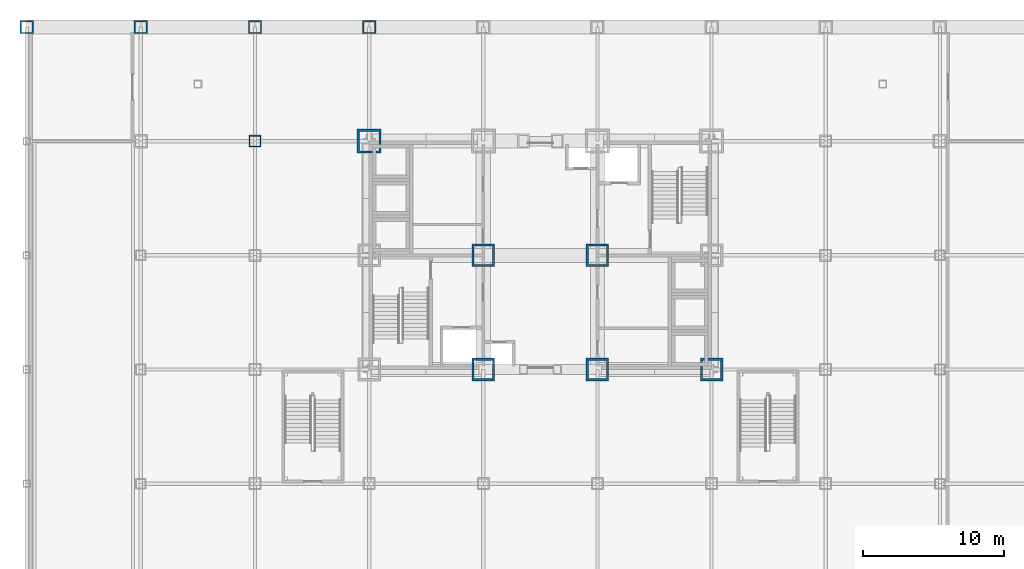
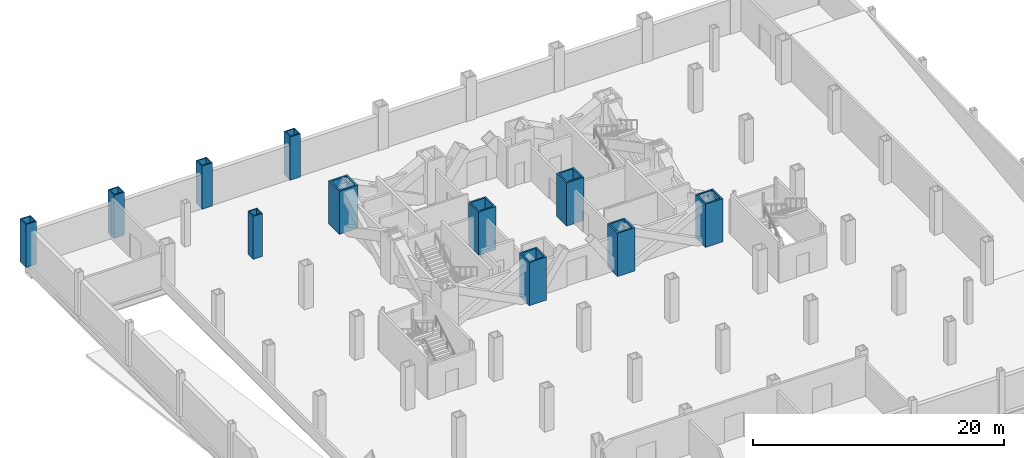
# One storey, part 6 of 14: 11 columns.
"""IFC4 building model written with IfcOpenShell, lengths in metres."""

from ifc_helpers import new_model, si_unit, direction, frame, origin, origin_2d, place, context, subcontext, project, spatial, hollow_rectangle, extrude, material, material_profile, profile_set, type_object, element, save


model = new_model("IFC4")

# Units and contexts
model_context = context("Model", 3, precision=1e-05, world=origin(), true_north=direction((0.0, 1.0)))
body_context = subcontext(model_context, "Body", "Model", "MODEL_VIEW")
ifc_project = project(units=[si_unit("LENGTHUNIT", "METRE"), si_unit("AREAUNIT", "SQUARE_METRE"), si_unit("VOLUMEUNIT", "CUBIC_METRE"), si_unit("PLANEANGLEUNIT", "RADIAN"), si_unit("MASSUNIT", "GRAM", prefix="KILO")], contexts=[model_context])

# Site, building, storey
site_placement = place(None, origin())
site = spatial("IfcSite", under=ifc_project, at=site_placement, CompositionType="ELEMENT")
building_placement = place(site_placement, origin())
building = spatial("IfcBuilding", under=site, at=building_placement, Name="Kopane Lantern Tower", CompositionType="ELEMENT")
storey_placement = place(building_placement, frame((0.0, 0.0, -4.199951171875)))
storey = spatial("IfcBuildingStorey", under=building, at=storey_placement, Name="L-01", CompositionType="ELEMENT", Elevation=-4.199951171875)

# Columns
ifc_material_1 = material(Name="Steel S355JR", Category="steel")
ifc_material_profile_1 = material_profile(ifc_material_1, hollow_rectangle(XDim=1.60009765625, YDim=1.60009765625, WallThickness=0.14990234375, at=origin_2d()), Name="BOX 1600x1600x150")
ifc_profile_set_1 = profile_set([ifc_material_profile_1], Name="Steel S355JR")
column_type_1 = type_object("IfcColumnType", Name="COLUMN BOX 1600x1600x150", PredefinedType="COLUMN", material=ifc_profile_set_1)
for number, where, z_axis, x_axis, name in (
    (1, (24.300048828125, 24.300048828125, 0.0), (0.0, 0.0, 1.0), (1.0, 0.0, 0.0), "Column 5/E L-01"),
    (2, (24.300048828125, 32.39990234375, 0.0), (0.0, 0.0, 1.0), (1.0, 0.0, 0.0), "Column 5/F L-01"),
    (3, (32.39990234375, 24.300048828125, 0.0), (0.0, 0.0, 1.0), (1.0, 0.0, 0.0), "Column 6/E L-01"),
    (4, (32.39990234375, 32.39990234375, 0.0), (0.0, 0.0, 1.0), (1.0, 0.0, 0.0), "Column 6/F L-01"),
    (5, (40.5, 24.300048828125, 0.0), (0.0, 0.0, 1.0), (1.0, 0.0, 0.0), "Column 7/E L-01"),
):
    element("IfcColumn", number, at=place(storey_placement, frame(where, z_axis=z_axis, x_axis=x_axis)), inside=storey, type_object=column_type_1, Name=name, PredefinedType="COLUMN", context=body_context, shape_type="SweptSolid", body=[
        extrude(hollow_rectangle(XDim=1.60009765625, YDim=1.60009765625, WallThickness=0.14990234375, at=origin_2d()), origin(), (0.0, 0.0, 1.0), 4.199951171875),
    ])
ifc_material_2 = material(Name="Steel S355JR", Category="steel")
ifc_material_profile_2 = material_profile(ifc_material_2, hollow_rectangle(XDim=1.699951171875, YDim=1.699951171875, WallThickness=0.159912109375, at=origin_2d()), Name="BOX 1700x1700x160")
ifc_profile_set_2 = profile_set([ifc_material_profile_2], Name="Steel S355JR")
column_type_2 = type_object("IfcColumnType", Name="COLUMN BOX 1700x1700x160", PredefinedType="COLUMN", material=ifc_profile_set_2)
column_1_placement = place(storey_placement, frame((16.199951171875, 40.5, 0.0), z_axis=(0.0, 0.0, 1.0), x_axis=(1.0, 0.0, 0.0)))
element("IfcColumn", 6, at=column_1_placement, inside=storey, type_object=column_type_2, Name="Column 4/G L-01", PredefinedType="COLUMN", context=body_context, shape_type="SweptSolid", body=[
    extrude(hollow_rectangle(XDim=1.699951171875, YDim=1.699951171875, WallThickness=0.159912109375, at=origin_2d()), origin(), (0.0, 0.0, 1.0), 4.199951171875),
])
ifc_material_3 = material(Name="Steel S355JR", Category="steel")
ifc_material_profile_3 = material_profile(ifc_material_3, hollow_rectangle(XDim=0.85009765625, YDim=0.85009765625, WallThickness=0.0849609375, at=origin_2d()), Name="BOX 850x850x85")
ifc_profile_set_3 = profile_set([ifc_material_profile_3], Name="Steel S355JR")
column_type_3 = type_object("IfcColumnType", Name="COLUMN BOX 850x850x85", PredefinedType="COLUMN", material=ifc_profile_set_3)
column_2_placement = place(storey_placement, frame((8.10009765625, 40.5, 0.0), z_axis=(0.0, 0.0, 1.0), x_axis=(1.0, 0.0, 0.0)))
element("IfcColumn", 7, at=column_2_placement, inside=storey, type_object=column_type_3, Name="Column 3/G L-01", PredefinedType="COLUMN", context=body_context, shape_type="SweptSolid", body=[
    extrude(hollow_rectangle(XDim=0.85009765625, YDim=0.85009765625, WallThickness=0.0849609375, at=origin_2d()), origin(), (0.0, 0.0, 1.0), 4.199951171875),
])
ifc_material_4 = material(Name="Steel S355JR", Category="steel")
ifc_material_profile_4 = material_profile(ifc_material_4, hollow_rectangle(XDim=0.949951171875, YDim=0.949951171875, WallThickness=0.10009765625, at=origin_2d()), Name="BOX 950x950x100")
ifc_profile_set_4 = profile_set([ifc_material_profile_4], Name="Steel S355JR")
column_type_4 = type_object("IfcColumnType", Name="COLUMN BOX 950x950x100", PredefinedType="COLUMN", material=ifc_profile_set_4)
for number, where, z_axis, x_axis, name in (
    (8, (-8.10009765625, 48.60009765625, 0.0), (0.0, 0.0, 1.0), (1.0, 0.0, 0.0), "Column 1/H L-01"),
    (9, (0.0, 48.60009765625, 0.0), (0.0, 0.0, 1.0), (1.0, 0.0, 0.0), "Column 2/H L-01"),
    (10, (8.10009765625, 48.60009765625, 0.0), (0.0, 0.0, 1.0), (1.0, 0.0, 0.0), "Column 3/H L-01"),
    (11, (16.199951171875, 48.60009765625, 0.0), (0.0, 0.0, 1.0), (1.0, 0.0, 0.0), "Column 4/H L-01"),
):
    element("IfcColumn", number, at=place(storey_placement, frame(where, z_axis=z_axis, x_axis=x_axis)), inside=storey, type_object=column_type_4, Name=name, PredefinedType="COLUMN", context=body_context, shape_type="SweptSolid", body=[
        extrude(hollow_rectangle(XDim=0.949951171875, YDim=0.949951171875, WallThickness=0.10009765625, at=origin_2d()), origin(), (0.0, 0.0, 1.0), 4.199951171875),
    ])

save(model, "model.ifc")
